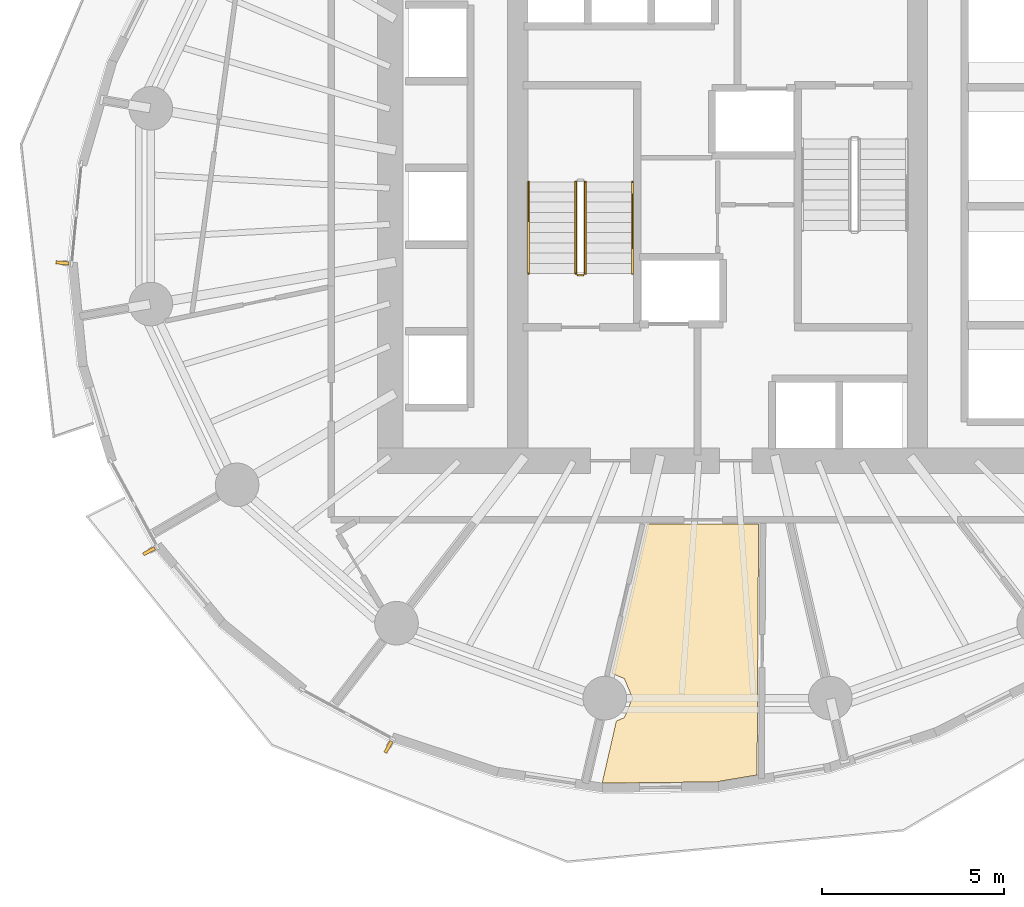
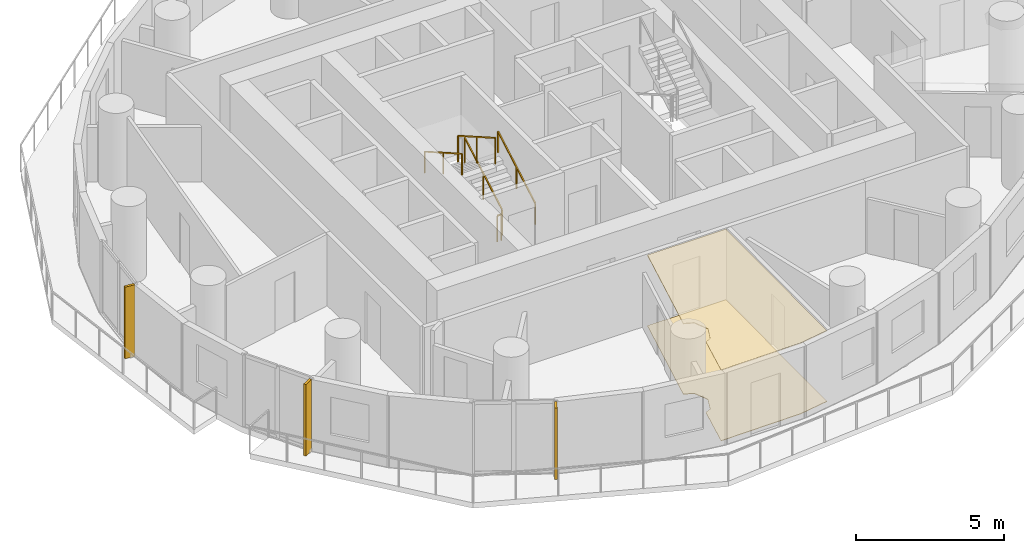
# One storey, part 11 of 14: 5 railings, 3 shading devices, 2 coverings.
"""IFC4 building model written with IfcOpenShell, lengths in metres."""

from ifc_helpers import new_model, si_unit, direction, frame, origin, origin_2d, place, context, subcontext, project, spatial, polyline, rectangle, outline, extrude, material, layer, layer_set, type_object, element, save


model = new_model("IFC4")

# Units and contexts
model_context = context("Model", 3, precision=1e-05, world=origin(), true_north=direction((0.0, 1.0)))
body_context = subcontext(model_context, "Body", "Model", "MODEL_VIEW")
ifc_project = project(units=[si_unit("LENGTHUNIT", "METRE"), si_unit("AREAUNIT", "SQUARE_METRE"), si_unit("VOLUMEUNIT", "CUBIC_METRE"), si_unit("PLANEANGLEUNIT", "RADIAN"), si_unit("MASSUNIT", "GRAM", prefix="KILO")], contexts=[model_context])

# Site, building, storey
site_placement = place(None, origin())
site = spatial("IfcSite", under=ifc_project, at=site_placement, CompositionType="ELEMENT")
building_placement = place(site_placement, origin())
building = spatial("IfcBuilding", under=site, at=building_placement, Name="Veldorim Arch Residences", CompositionType="ELEMENT")
storey_placement = place(building_placement, frame((0.0, 0.0, 93.280029296875)))
storey = spatial("IfcBuildingStorey", under=building, at=storey_placement, Name="L27", CompositionType="ELEMENT", Elevation=93.280029296875)

# Railings
ifc_material_1 = material(Name="Steel S355", Category="steel")
railing_type_1 = type_object("IfcRailingType", Name="Galvanised Steel Stair Safety Guardrail 1100", PredefinedType="GUARDRAIL", material=ifc_material_1)
railing_1_placement = place(storey_placement, frame((28.360107421875, 22.14990234375, 0.159912109375)))
element("IfcRailing", 1, at=railing_1_placement, inside=storey, type_object=railing_type_1, Name="L27 ST-1 stair guard 1", PredefinedType="GUARDRAIL", context=body_context, shape_type="SweptSolid", body=[
    extrude(rectangle(XDim=0.048095703125, YDim=0.048095703125, at=origin_2d()), frame((0.0, 0.0, 1.076171875), z_axis=(0.0, 0.868253494771, 0.496120820787), x_axis=(-1.0, 0.0, 0.0)), (0.0, 0.0, 1.0), 2.90234375),
    extrude(rectangle(XDim=0.0419921875, YDim=0.0419921875, at=origin_2d()), origin(), (0.0, 0.0, 1.0), 1.052001953125),
    extrude(rectangle(XDim=0.0419921875, YDim=0.0419921875, at=origin_2d()), frame((0.0, 1.260009765625, 0.719970703125)), (0.0, 0.0, 1.0), 1.052001953125),
    extrude(rectangle(XDim=0.0419921875, YDim=0.0419921875, at=origin_2d()), frame((0.0, 2.52001953125, 1.43994140625)), (0.0, 0.0, 1.0), 1.052001953125),
])
railing_2_placement = place(storey_placement, frame((28.10009765625, 24.669921875, 1.760009765625)))
element("IfcRailing", 2, at=railing_2_placement, inside=storey, type_object=railing_type_1, Name="L27 ST-1 stair guard 3", PredefinedType="GUARDRAIL", context=body_context, shape_type="SweptSolid", body=[
    extrude(rectangle(XDim=0.048095703125, YDim=0.048095703125, at=origin_2d()), frame((0.0, 0.0, 1.076171875), z_axis=(0.0, -0.868253494771, 0.496120820787), x_axis=(1.0, 0.0, 0.0)), (0.0, 0.0, 1.0), 2.90234375),
    extrude(rectangle(XDim=0.0419921875, YDim=0.0419921875, at=origin_2d()), origin(), (0.0, 0.0, 1.0), 1.052001953125),
    extrude(rectangle(XDim=0.0419921875, YDim=0.0419921875, at=origin_2d()), frame((0.0, -1.260009765625, 0.719970703125)), (0.0, 0.0, 1.0), 1.052001953125),
    extrude(rectangle(XDim=0.0419921875, YDim=0.0419921875, at=origin_2d()), frame((0.0, -2.52001953125, 1.43994140625)), (0.0, 0.0, 1.0), 1.052001953125),
])
railing_3_placement = place(storey_placement, frame((28.31005859375, 22.10009765625, 0.0)))
element("IfcRailing", 3, at=railing_3_placement, inside=storey, type_object=railing_type_1, Name="L27 ST-1 stair guard 4", PredefinedType="GUARDRAIL", context=body_context, shape_type="SweptSolid", body=[
    extrude(rectangle(XDim=0.048095703125, YDim=0.048095703125, at=origin_2d()), frame((0.0, 0.0, 1.076171875), z_axis=(-1.0, 0.0, 0.0), x_axis=(0.0, -1.0, 0.0)), (0.0, 0.0, 1.0), 0.16015625),
    extrude(rectangle(XDim=0.0419921875, YDim=0.0419921875, at=origin_2d()), origin(), (0.0, 0.0, 1.0), 1.052001953125),
    extrude(rectangle(XDim=0.0419921875, YDim=0.0419921875, at=origin_2d()), frame((-0.16015625, 0.0, 0.0)), (0.0, 0.0, 1.0), 1.052001953125),
])

# Coverings
ifc_material_2 = material(Name="Acoustic Gypsum & Mineral Fibre", Category="gypsum")
ifc_layer_1 = layer(ifc_material_2, 0.034912109375, Name="Perforated Acoustic Mineral-Fibre Ceiling 35")
ifc_layer_set_1 = layer_set([ifc_layer_1], Name="Acoustic Gypsum & Mineral Fibre")
covering_type_1 = type_object("IfcCoveringType", Name="Perforated Acoustic Mineral-Fibre Ceiling 35", PredefinedType="CEILING", material=ifc_layer_set_1)
covering_1_placement = place(storey_placement, frame((0.0, 0.0, 2.905029296875)))
element("IfcCovering", 4, at=covering_1_placement, inside=storey, type_object=covering_type_1, Name="L27 acoustic suspended ceiling 01", PredefinedType="CEILING", context=body_context, shape_type="SweptSolid", body=[
    extrude(outline(polyline([(28.826171875, 8.13720703125), (29.2158203125, 9.8369140625), (29.435302734375, 9.927978515625), (29.657958984375, 10.465087890625), (29.435302734375, 11.00244140625), (29.09130859375, 11.14501953125), (30.0595703125, 15.25), (33.12841796875, 15.25), (33.086669921875, 8.35107421875), (31.958251953125, 8.16064453125), (28.897705078125, 8.126220703125), (28.826171875, 8.13720703125)])), origin(), (0.0, 0.0, 1.0), 0.034912109375),
])
ifc_material_3 = material(Name="Porcelain Ceramic Tile", Category="ceramic")
ifc_layer_2 = layer(ifc_material_3, 0.02001953125, Name="Slip-Resistant Porcelain & Vinyl Floor Finish 20")
ifc_layer_set_2 = layer_set([ifc_layer_2], Name="Porcelain Ceramic Tile")
covering_type_2 = type_object("IfcCoveringType", Name="Slip-Resistant Porcelain & Vinyl Floor Finish 20", PredefinedType="FLOORING", material=ifc_layer_set_2)
covering_2_placement = place(storey_placement, origin())
element("IfcCovering", 5, at=covering_2_placement, inside=storey, type_object=covering_type_2, Name="L27 porcelain floor finish 01", PredefinedType="FLOORING", context=body_context, shape_type="SweptSolid", body=[
    extrude(outline(polyline([(28.826171875, 8.13720703125), (29.2158203125, 9.8369140625), (29.435302734375, 9.927978515625), (29.657958984375, 10.465087890625), (29.435302734375, 11.00244140625), (29.09130859375, 11.14501953125), (30.0595703125, 15.25), (33.12841796875, 15.25), (33.086669921875, 8.35107421875), (31.958251953125, 8.16064453125), (28.897705078125, 8.126220703125), (28.826171875, 8.13720703125)])), origin(), (0.0, 0.0, 1.0), 0.02001953125),
])

# Railings
ifc_material_4 = material(Name="Stainless Steel", Category="steel")
railing_type_2 = type_object("IfcRailingType", Name="Tubular Steel Continuous Wall Handrail 900", PredefinedType="HANDRAIL", material=ifc_material_4)
railing_4_placement = place(storey_placement, frame((29.659912109375, 22.14990234375, 0.159912109375)))
element("IfcRailing", 6, at=railing_4_placement, inside=storey, type_object=railing_type_2, Name="L27 ST-1 stair handrail 1", PredefinedType="HANDRAIL", context=body_context, shape_type="SweptSolid", body=[
    extrude(rectangle(XDim=0.048095703125, YDim=0.048095703125, at=origin_2d()), frame((0.0, 0.0, 0.8759765625), z_axis=(0.0, 0.868253494771, 0.496120820787), x_axis=(-1.0, 0.0, 0.0)), (0.0, 0.0, 1.0), 2.90234375),
    extrude(rectangle(XDim=0.0419921875, YDim=0.0419921875, at=origin_2d()), origin(), (0.0, 0.0, 1.0), 0.851806640625),
    extrude(rectangle(XDim=0.0419921875, YDim=0.0419921875, at=origin_2d()), frame((0.0, 1.260009765625, 0.719970703125)), (0.0, 0.0, 1.0), 0.851806640625),
    extrude(rectangle(XDim=0.0419921875, YDim=0.0419921875, at=origin_2d()), frame((0.0, 2.52001953125, 1.43994140625)), (0.0, 0.0, 1.0), 0.851806640625),
])
railing_5_placement = place(storey_placement, frame((26.800048828125, 24.669921875, 1.760009765625)))
element("IfcRailing", 7, at=railing_5_placement, inside=storey, type_object=railing_type_2, Name="L27 ST-1 stair handrail 2", PredefinedType="HANDRAIL", context=body_context, shape_type="SweptSolid", body=[
    extrude(rectangle(XDim=0.048095703125, YDim=0.048095703125, at=origin_2d()), frame((0.0, 0.0, 0.8759765625), z_axis=(0.0, -0.868253494771, 0.496120820787), x_axis=(1.0, 0.0, 0.0)), (0.0, 0.0, 1.0), 2.90234375),
    extrude(rectangle(XDim=0.0419921875, YDim=0.0419921875, at=origin_2d()), origin(), (0.0, 0.0, 1.0), 0.851806640625),
    extrude(rectangle(XDim=0.0419921875, YDim=0.0419921875, at=origin_2d()), frame((0.0, -1.260009765625, 0.719970703125)), (0.0, 0.0, 1.0), 0.851806640625),
    extrude(rectangle(XDim=0.0419921875, YDim=0.0419921875, at=origin_2d()), frame((0.0, -2.52001953125, 1.43994140625)), (0.0, 0.0, 1.0), 0.851806640625),
])

# Shading devices
ifc_material_5 = material(Name="Terracotta Ceramic", Category="masonry")
ifc_layer_3 = layer(ifc_material_5, 0.090087890625, Name="Vertical Extruded Terracotta Baguette Sun-Shading Fin")
ifc_layer_set_3 = layer_set([ifc_layer_3], Name="Terracotta Ceramic")
shading_device_type = type_object("IfcShadingDeviceType", Name="Vertical Extruded Terracotta Baguette Sun-Shading Fin", PredefinedType="USERDEFINED", material=ifc_layer_set_3)
for number, where, z_axis, x_axis, name in (
    (8, (13.972900390625, 22.440185546875, 0.0), (0.0, 0.0, 1.0), (0.096888076238, 0.995295283161, 0.0), "L27 vertical terracotta sun-shading fin 16"),
    (9, (16.357666015625, 14.50634765625, 0.0), (0.0, 0.0, 1.0), (-0.476084726767, 0.879399416044, 0.0), "L27 vertical terracotta sun-shading fin 19"),
    (10, (22.943603515625, 9.12158203125, 0.0), (0.0, 0.0, 1.0), (-0.879399416044, 0.476084726767, 0.0), "L27 vertical terracotta sun-shading fin 22"),
):
    element("IfcShadingDevice", number, at=place(storey_placement, frame(where, z_axis=z_axis, x_axis=x_axis)), inside=storey, type_object=shading_device_type, Name=name, ObjectType="FIN", PredefinedType="USERDEFINED", context=body_context, shape_type="SweptSolid", body=[
        extrude(rectangle(XDim=0.090087890625, YDim=0.360107421875, at=origin_2d()), origin(), (0.0, 0.0, 1.0), 2.9599609375),
    ])

save(model, "model.ifc")
